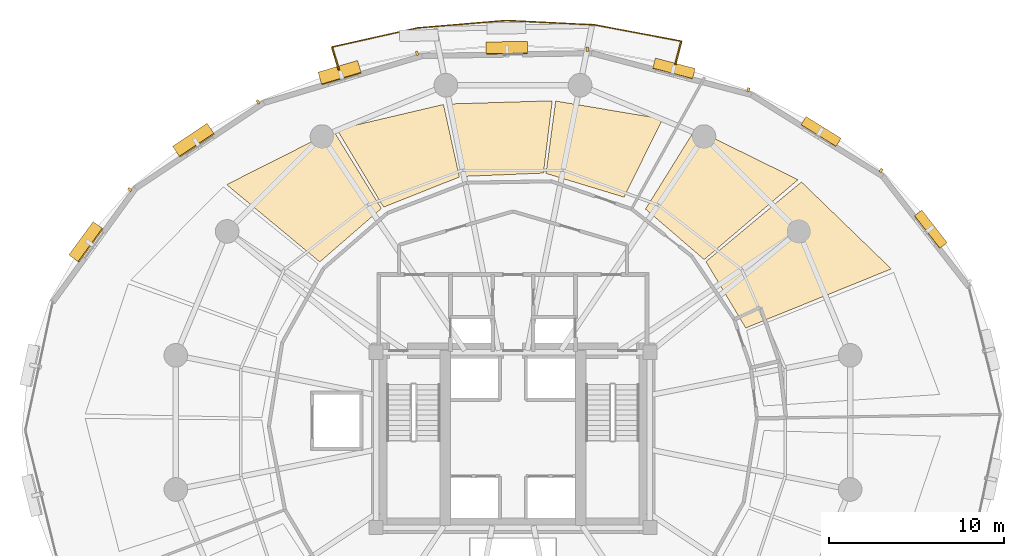
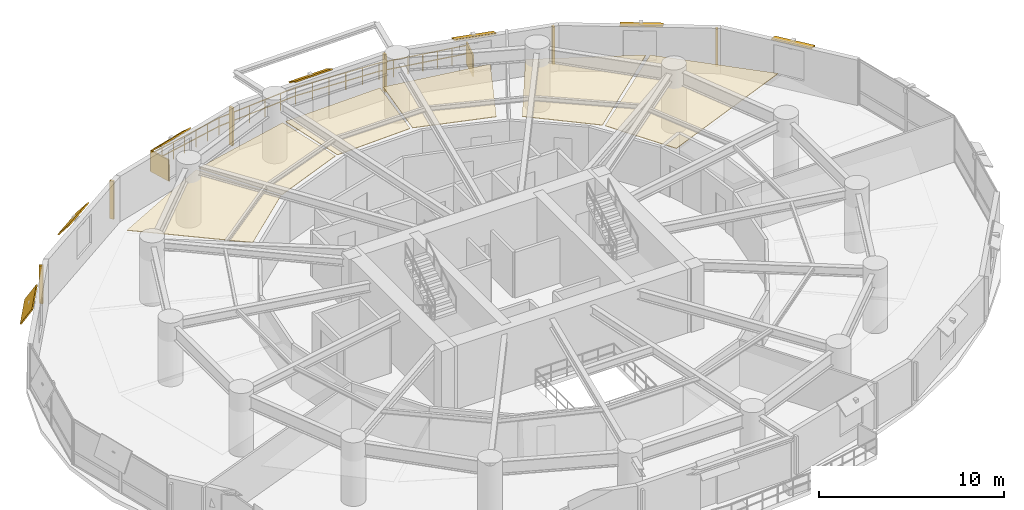
# One storey, part 17 of 17: 15 shading devices, 6 coverings, 1 railing.
"""IFC4 building model written with IfcOpenShell, lengths in metres."""

from ifc_helpers import new_model, si_unit, direction, frame, origin, origin_2d, place, context, subcontext, project, spatial, polyline, rectangle, outline, extrude, material, layer, layer_set, type_object, element, save


model = new_model("IFC4")

# Units and contexts
model_context = context("Model", 3, precision=1e-05, world=origin(), true_north=direction((0.0, 1.0)))
body_context = subcontext(model_context, "Body", "Model", "MODEL_VIEW")
ifc_project = project(units=[si_unit("LENGTHUNIT", "METRE"), si_unit("AREAUNIT", "SQUARE_METRE"), si_unit("VOLUMEUNIT", "CUBIC_METRE"), si_unit("PLANEANGLEUNIT", "RADIAN"), si_unit("MASSUNIT", "GRAM", prefix="KILO"), si_unit("THERMODYNAMICTEMPERATUREUNIT", "KELVIN"), si_unit("POWERUNIT", "WATT")], contexts=[model_context])

# Site, building, storey
site_placement = place(None, origin())
site = spatial("IfcSite", under=ifc_project, at=site_placement, CompositionType="ELEMENT")
building_placement = place(site_placement, origin())
building = spatial("IfcBuilding", under=site, at=building_placement, Name="Ocrelia Relay Tower", CompositionType="ELEMENT")
storey_placement = place(building_placement, frame((0.0, 0.0, 34.199951171875)))
storey = spatial("IfcBuildingStorey", under=building, at=storey_placement, Name="L07", CompositionType="ELEMENT", Elevation=34.199951171875)

# Coverings
ifc_material_1 = material(Name="Mineral-fiber acoustic ceiling tile", Category="gypsum")
ifc_layer_1 = layer(ifc_material_1, 0.0400390625, Name="Mineral-fiber acoustic ceiling tile")
ifc_layer_set_1 = layer_set([ifc_layer_1], Name="Mineral-fiber acoustic ceiling tile")
covering_type_1 = type_object("IfcCoveringType", Name="COV-CEIL-ACOUSTIC", PredefinedType="CEILING", material=ifc_layer_set_1)
covering_1_placement = place(storey_placement, frame((0.0, 0.0, 2.920166015625)))
element("IfcCovering", 1, at=covering_1_placement, inside=storey, type_object=covering_type_1, Name="L07 Operations Control Office Suspended Ceiling 2", PredefinedType="CEILING", context=body_context, shape_type="SweptSolid", body=[
    extrude(outline(polyline([(47.26953125, 31.3837890625), (55.571533203125, 34.751953125), (50.44580078125, 39.710205078125), (44.999267578125, 35.169677734375), (47.26953125, 31.3837890625)])), origin(), (0.0, 0.0, 1.0), 0.039794921875),
])
covering_2_placement = place(storey_placement, frame((0.0, 0.0, 2.920166015625)))
element("IfcCovering", 2, at=covering_2_placement, inside=storey, type_object=covering_type_1, Name="L07 Operations Control Office Suspended Ceiling 3", PredefinedType="CEILING", context=body_context, shape_type="SweptSolid", body=[
    extrude(outline(polyline([(44.902587890625, 35.2841796875), (50.252685546875, 39.84033203125), (44.389404296875, 42.723876953125), (41.556640625, 38.163818359375), (44.902587890625, 35.2841796875)])), origin(), (0.0, 0.0, 1.0), 0.039794921875),
])
ifc_material_2 = material(Name="Cleanroom metal-pan acoustic ceiling", Category="aluminium")
ifc_layer_2 = layer(ifc_material_2, 0.0400390625, Name="Cleanroom metal-pan acoustic ceiling")
ifc_layer_set_2 = layer_set([ifc_layer_2], Name="Cleanroom metal-pan acoustic ceiling")
covering_type_2 = type_object("IfcCoveringType", Name="COV-CEIL-CLEAN", PredefinedType="CEILING", material=ifc_layer_set_2)
covering_3_placement = place(storey_placement, frame((0.0, 0.0, 2.920166015625)))
element("IfcCovering", 3, at=covering_3_placement, inside=storey, type_object=covering_type_2, Name="L07 Colocation Data Hall A Suspended Ceiling 1", PredefinedType="CEILING", context=body_context, shape_type="SweptSolid", body=[
    extrude(outline(polyline([(40.33349609375, 38.84326171875), (42.531494140625, 43.30029296875), (36.43359375, 44.32666015625), (35.885009765625, 40.1953125), (40.33349609375, 38.84326171875)])), origin(), (0.0, 0.0, 1.0), 0.039794921875),
])
covering_4_placement = place(storey_placement, frame((0.0, 0.0, 2.920166015625)))
element("IfcCovering", 4, at=covering_4_placement, inside=storey, type_object=covering_type_2, Name="L07 Colocation Data Hall A Suspended Ceiling 2", PredefinedType="CEILING", context=body_context, shape_type="SweptSolid", body=[
    extrude(outline(polyline([(35.736328125, 40.21435546875), (36.240234375, 44.33935546875), (30.2333984375, 44.153564453125), (31.0908203125, 40.021484375), (35.736328125, 40.21435546875)])), origin(), (0.0, 0.0, 1.0), 0.039794921875),
])
covering_5_placement = place(storey_placement, frame((0.0, 0.0, 2.920166015625)))
element("IfcCovering", 5, at=covering_5_placement, inside=storey, type_object=covering_type_2, Name="L07 Colocation Data Hall A Suspended Ceiling 3", PredefinedType="CEILING", context=body_context, shape_type="SweptSolid", body=[
    extrude(outline(polyline([(30.944091796875, 39.990234375), (30.040283203125, 44.12890625), (23.962646484375, 42.7001953125), (26.623046875, 38.273681640625), (30.944091796875, 39.990234375)])), origin(), (0.0, 0.0, 1.0), 0.039794921875),
])
covering_6_placement = place(storey_placement, frame((0.0, 0.0, 2.920166015625)))
element("IfcCovering", 6, at=covering_6_placement, inside=storey, type_object=covering_type_2, Name="L07 Colocation Data Hall A Suspended Ceiling 4", PredefinedType="CEILING", context=body_context, shape_type="SweptSolid", body=[
    extrude(outline(polyline([(26.4951171875, 38.19580078125), (23.765869140625, 42.630859375), (17.673828125, 39.5576171875), (22.9833984375, 35.1484375), (26.4951171875, 38.19580078125)])), origin(), (0.0, 0.0, 1.0), 0.039794921875),
])

# Railing
ifc_material_3 = material(Name="Steel S355 balustrade", Category="steel")
railing_type = type_object("IfcRailingType", Name="RL-EXT-GUARD-1150", PredefinedType="GUARDRAIL", material=ifc_material_3)
railing_placement = place(storey_placement, frame((24.081298828125, 46.070556640625, 0.0)))
element("IfcRailing", 7, at=railing_placement, inside=storey, type_object=railing_type, Name="L07 Loggia Balcony Guard Rail B1", PredefinedType="GUARDRAIL", context=body_context, shape_type="SweptSolid", body=[
    extrude(rectangle(XDim=0.048095703125, YDim=0.048095703125, at=origin_2d()), frame((0.0, 0.0, 1.1259765625), z_axis=(-0.285901080499, 0.958259136231, 0.0), x_axis=(-0.958259136231, -0.285901080499, 0.0)), (0.0, 0.0, 1.0), 1.3935546875),
    extrude(rectangle(XDim=0.048095703125, YDim=0.048095703125, at=origin_2d()), frame((0.0, 0.0, 0.574951171875), z_axis=(-0.285901080499, 0.958259136231, 0.0), x_axis=(-0.958259136231, -0.285901080499, 0.0)), (0.0, 0.0, 1.0), 1.3935546875),
    extrude(rectangle(XDim=0.048095703125, YDim=0.048095703125, at=origin_2d()), frame((-0.3984375, 1.33544921875, 1.1259765625), z_axis=(0.976007852595, 0.217735324815, 0.0), x_axis=(-0.217735324815, 0.976007852595, 0.0)), (0.0, 0.0, 1.0), 2.5048828125),
    extrude(rectangle(XDim=0.048095703125, YDim=0.048095703125, at=origin_2d()), frame((-0.3984375, 1.33544921875, 0.574951171875), z_axis=(0.976007852595, 0.217735324815, 0.0), x_axis=(-0.217735324815, 0.976007852595, 0.0)), (0.0, 0.0, 1.0), 2.5048828125),
    extrude(rectangle(XDim=0.048095703125, YDim=0.048095703125, at=origin_2d()), frame((2.04638671875, 1.880859375, 1.1259765625), z_axis=(0.976007852595, 0.217735324815, 0.0), x_axis=(-0.217735324815, 0.976007852595, 0.0)), (0.0, 0.0, 1.0), 2.5048828125),
    extrude(rectangle(XDim=0.048095703125, YDim=0.048095703125, at=origin_2d()), frame((2.04638671875, 1.880859375, 0.574951171875), z_axis=(0.976007852595, 0.217735324815, 0.0), x_axis=(-0.217735324815, 0.976007852595, 0.0)), (0.0, 0.0, 1.0), 2.5048828125),
    extrude(rectangle(XDim=0.048095703125, YDim=0.048095703125, at=origin_2d()), frame((4.4912109375, 2.42626953125, 1.1259765625), z_axis=(0.996505084187, 0.083532132674, 0.0), x_axis=(-0.083532132674, 0.996505084187, 0.0)), (0.0, 0.0, 1.0), 5.065185546875),
    extrude(rectangle(XDim=0.048095703125, YDim=0.048095703125, at=origin_2d()), frame((4.4912109375, 2.42626953125, 0.574951171875), z_axis=(0.996505084187, 0.083532132674, 0.0), x_axis=(-0.083532132674, 0.996505084187, 0.0)), (0.0, 0.0, 1.0), 5.065185546875),
    extrude(rectangle(XDim=0.048095703125, YDim=0.048095703125, at=origin_2d()), frame((9.53857421875, 2.849365234375, 1.1259765625), z_axis=(0.998725754375, -0.050466499268, 0.0), x_axis=(0.050466499268, 0.998725754375, 0.0)), (0.0, 0.0, 1.0), 5.06494140625),
    extrude(rectangle(XDim=0.048095703125, YDim=0.048095703125, at=origin_2d()), frame((9.53857421875, 2.849365234375, 0.574951171875), z_axis=(0.998725754375, -0.050466499268, 0.0), x_axis=(0.050466499268, 0.998725754375, 0.0)), (0.0, 0.0, 1.0), 5.06494140625),
    extrude(rectangle(XDim=0.048095703125, YDim=0.048095703125, at=origin_2d()), frame((14.59716796875, 2.59375, 1.1259765625), z_axis=(0.982705181143, -0.185177015191, 0.0), x_axis=(0.185177015191, 0.982705181143, 0.0)), (0.0, 0.0, 1.0), 2.5048828125),
    extrude(rectangle(XDim=0.048095703125, YDim=0.048095703125, at=origin_2d()), frame((14.59716796875, 2.59375, 0.574951171875), z_axis=(0.982705181143, -0.185177015191, 0.0), x_axis=(0.185177015191, 0.982705181143, 0.0)), (0.0, 0.0, 1.0), 2.5048828125),
    extrude(rectangle(XDim=0.048095703125, YDim=0.048095703125, at=origin_2d()), frame((17.058837890625, 2.1298828125, 1.1259765625), z_axis=(0.982687441441, -0.18527113222, 0.0), x_axis=(0.18527113222, 0.982687441441, 0.0)), (0.0, 0.0, 1.0), 2.505126953125),
    extrude(rectangle(XDim=0.048095703125, YDim=0.048095703125, at=origin_2d()), frame((17.058837890625, 2.1298828125, 0.574951171875), z_axis=(0.982687441441, -0.18527113222, 0.0), x_axis=(0.18527113222, 0.982687441441, 0.0)), (0.0, 0.0, 1.0), 2.505126953125),
    extrude(rectangle(XDim=0.048095703125, YDim=0.048095703125, at=origin_2d()), frame((19.5205078125, 1.665771484375, 1.1259765625), z_axis=(-0.254018997009, -0.9671992293, 0.0), x_axis=(0.9671992293, -0.254018997009, 0.0)), (0.0, 0.0, 1.0), 1.3935546875),
    extrude(rectangle(XDim=0.048095703125, YDim=0.048095703125, at=origin_2d()), frame((19.5205078125, 1.665771484375, 0.574951171875), z_axis=(-0.254018997009, -0.9671992293, 0.0), x_axis=(0.9671992293, -0.254018997009, 0.0)), (0.0, 0.0, 1.0), 1.3935546875),
    extrude(rectangle(XDim=0.0419921875, YDim=0.0419921875, at=origin_2d()), origin(), (0.0, 0.0, 1.0), 1.101806640625),
    extrude(rectangle(XDim=0.0419921875, YDim=0.0419921875, at=origin_2d()), frame((-0.19921875, 0.667724609375, 0.0)), (0.0, 0.0, 1.0), 1.101806640625),
    extrude(rectangle(XDim=0.0419921875, YDim=0.0419921875, at=origin_2d()), frame((-0.3984375, 1.33544921875, 0.0)), (0.0, 0.0, 1.0), 1.101806640625),
    extrude(rectangle(XDim=0.0419921875, YDim=0.0419921875, at=origin_2d()), frame((0.41650390625, 1.517333984375, 0.0)), (0.0, 0.0, 1.0), 1.101806640625),
    extrude(rectangle(XDim=0.0419921875, YDim=0.0419921875, at=origin_2d()), frame((1.2314453125, 1.698974609375, 0.0)), (0.0, 0.0, 1.0), 1.101806640625),
    extrude(rectangle(XDim=0.0419921875, YDim=0.0419921875, at=origin_2d()), frame((2.04638671875, 1.880859375, 0.0)), (0.0, 0.0, 1.0), 1.101806640625),
    extrude(rectangle(XDim=0.0419921875, YDim=0.0419921875, at=origin_2d()), frame((2.861328125, 2.062744140625, 0.0)), (0.0, 0.0, 1.0), 1.101806640625),
    extrude(rectangle(XDim=0.0419921875, YDim=0.0419921875, at=origin_2d()), frame((3.67626953125, 2.244384765625, 0.0)), (0.0, 0.0, 1.0), 1.101806640625),
    extrude(rectangle(XDim=0.0419921875, YDim=0.0419921875, at=origin_2d()), frame((4.4912109375, 2.42626953125, 0.0)), (0.0, 0.0, 1.0), 1.101806640625),
    extrude(rectangle(XDim=0.0419921875, YDim=0.0419921875, at=origin_2d()), frame((5.500732421875, 2.510986328125, 0.0)), (0.0, 0.0, 1.0), 1.101806640625),
    extrude(rectangle(XDim=0.0419921875, YDim=0.0419921875, at=origin_2d()), frame((6.51025390625, 2.595458984375, 0.0)), (0.0, 0.0, 1.0), 1.101806640625),
    extrude(rectangle(XDim=0.0419921875, YDim=0.0419921875, at=origin_2d()), frame((7.51953125, 2.68017578125, 0.0)), (0.0, 0.0, 1.0), 1.101806640625),
    extrude(rectangle(XDim=0.0419921875, YDim=0.0419921875, at=origin_2d()), frame((8.529052734375, 2.7646484375, 0.0)), (0.0, 0.0, 1.0), 1.101806640625),
    extrude(rectangle(XDim=0.0419921875, YDim=0.0419921875, at=origin_2d()), frame((9.53857421875, 2.849365234375, 0.0)), (0.0, 0.0, 1.0), 1.101806640625),
    extrude(rectangle(XDim=0.0419921875, YDim=0.0419921875, at=origin_2d()), frame((10.55029296875, 2.79833984375, 0.0)), (0.0, 0.0, 1.0), 1.101806640625),
    extrude(rectangle(XDim=0.0419921875, YDim=0.0419921875, at=origin_2d()), frame((11.56201171875, 2.7470703125, 0.0)), (0.0, 0.0, 1.0), 1.101806640625),
    extrude(rectangle(XDim=0.0419921875, YDim=0.0419921875, at=origin_2d()), frame((12.57373046875, 2.696044921875, 0.0)), (0.0, 0.0, 1.0), 1.101806640625),
    extrude(rectangle(XDim=0.0419921875, YDim=0.0419921875, at=origin_2d()), frame((13.58544921875, 2.644775390625, 0.0)), (0.0, 0.0, 1.0), 1.101806640625),
    extrude(rectangle(XDim=0.0419921875, YDim=0.0419921875, at=origin_2d()), frame((14.59716796875, 2.59375, 0.0)), (0.0, 0.0, 1.0), 1.101806640625),
    extrude(rectangle(XDim=0.0419921875, YDim=0.0419921875, at=origin_2d()), frame((15.417724609375, 2.439208984375, 0.0)), (0.0, 0.0, 1.0), 1.101806640625),
    extrude(rectangle(XDim=0.0419921875, YDim=0.0419921875, at=origin_2d()), frame((16.23828125, 2.284423828125, 0.0)), (0.0, 0.0, 1.0), 1.101806640625),
    extrude(rectangle(XDim=0.0419921875, YDim=0.0419921875, at=origin_2d()), frame((17.058837890625, 2.1298828125, 0.0)), (0.0, 0.0, 1.0), 1.101806640625),
    extrude(rectangle(XDim=0.0419921875, YDim=0.0419921875, at=origin_2d()), frame((17.87939453125, 1.97509765625, 0.0)), (0.0, 0.0, 1.0), 1.101806640625),
    extrude(rectangle(XDim=0.0419921875, YDim=0.0419921875, at=origin_2d()), frame((18.699951171875, 1.820556640625, 0.0)), (0.0, 0.0, 1.0), 1.101806640625),
    extrude(rectangle(XDim=0.0419921875, YDim=0.0419921875, at=origin_2d()), frame((19.5205078125, 1.665771484375, 0.0)), (0.0, 0.0, 1.0), 1.101806640625),
    extrude(rectangle(XDim=0.0419921875, YDim=0.0419921875, at=origin_2d()), frame((19.343505859375, 0.99169921875, 0.0)), (0.0, 0.0, 1.0), 1.101806640625),
    extrude(rectangle(XDim=0.0419921875, YDim=0.0419921875, at=origin_2d()), frame((19.16650390625, 0.31787109375, 0.0)), (0.0, 0.0, 1.0), 1.101806640625),
])

# Shading devices
ifc_material_4 = material(Name="Perforated oxide terracotta solar screen", Category="masonry")
ifc_layer_3 = layer(ifc_material_4, 0.090087890625, Name="Perforated oxide terracotta solar screen")
ifc_layer_set_3 = layer_set([ifc_layer_3], Name="Perforated oxide terracotta solar screen")
shading_device_type_1 = type_object("IfcShadingDeviceType", Name="SH-BALC-SCREEN", PredefinedType="USERDEFINED", material=ifc_layer_set_3)
for number, where, z_axis, x_axis, name in (
    (8, (43.4248046875, 47.0625, 0.0), (0.0, 0.0, 1.0), (0.25403407431, 0.967195269369, 0.0), "L07 Balcony Perforated Terracotta Screen B1-1"),
    (9, (23.882080078125, 46.73828125, 0.0), (0.0, 0.0, 1.0), (-0.285905706582, 0.958257756005, 0.0), "L07 Balcony Perforated Terracotta Screen B1-2"),
):
    element("IfcShadingDevice", number, at=place(storey_placement, frame(where, z_axis=z_axis, x_axis=x_axis)), inside=storey, type_object=shading_device_type_1, Name=name, ObjectType="SCREEN", PredefinedType="USERDEFINED", context=body_context, shape_type="SweptSolid", body=[
        extrude(rectangle(XDim=1.340087890625, YDim=0.090087890625, at=origin_2d()), origin(), (0.0, 0.0, 1.0), 1.39990234375),
    ])
ifc_material_5 = material(Name="Extruded oxide terracotta vertical baguette", Category="masonry")
shading_device_type_2 = type_object("IfcShadingDeviceType", Name="SH-TERR-BAGUETTE", PredefinedType="USERDEFINED", material=ifc_material_5)
for number, where, z_axis, x_axis, name in (
    (10, (54.9833984375, 40.364501953125, 0.25), (0.0, 0.0, 1.0), (-0.850007396086, 0.526770753364, 0.0), "L07 Oxide Terracotta Vertical Baguette 03"),
    (11, (47.418212890625, 44.95751953125, 0.25), (0.0, 0.0, 1.0), (-0.967567531803, 0.252612492565, 0.0), "L07 Oxide Terracotta Vertical Baguette 04"),
    (12, (38.235107421875, 47.279541015625, 0.25), (0.0, 0.0, 1.0), (-0.999862502916, -0.01658237808, 0.0), "L07 Oxide Terracotta Vertical Baguette 05"),
    (13, (28.530029296875, 47.045654296875, 0.25), (0.0, 0.0, 1.0), (-0.958658542591, -0.28455895473, 0.0), "L07 Oxide Terracotta Vertical Baguette 06"),
    (14, (19.46875, 44.271484375, 0.25), (0.0, 0.0, 1.0), (-0.832080038221, -0.554655577808, 0.0), "L07 Oxide Terracotta Vertical Baguette 07"),
    (15, (12.152587890625, 39.277587890625, 0.25), (0.0, 0.0, 1.0), (-0.58847927346, -0.808512303375, 0.0), "L07 Oxide Terracotta Vertical Baguette 08"),
):
    element("IfcShadingDevice", number, at=place(storey_placement, frame(where, z_axis=z_axis, x_axis=x_axis)), inside=storey, type_object=shading_device_type_2, Name=name, ObjectType="BAGUETTE", PredefinedType="USERDEFINED", context=body_context, shape_type="SweptSolid", body=[
        extrude(rectangle(XDim=0.139892578125, YDim=0.239990234375, at=origin_2d()), origin(), (0.0, 0.0, 1.0), 2.5),
    ])
ifc_material_6 = material(Name="Extruded oxide terracotta fin", Category="masonry")
ifc_layer_4 = layer(ifc_material_6, 0.080078125, Name="Extruded oxide terracotta fin")
ifc_layer_set_4 = layer_set([ifc_layer_4], Name="Extruded oxide terracotta fin")
shading_device_type_3 = type_object("IfcShadingDeviceType", Name="SH-VISOR-FIN-DEEP", PredefinedType="USERDEFINED", material=ifc_layer_set_4)
shading_device_1_placement = place(storey_placement, frame((9.685791015625, 36.268798828125, 2.81884765625), z_axis=(-0.686329475211, 0.499547958937, 0.528586500185), x_axis=(-0.58847927346, -0.808512303375, 0.0)))
element("IfcShadingDevice", 16, at=shading_device_1_placement, inside=storey, type_object=shading_device_type_3, Name="L07 Canted Terracotta Sun-Visor Fin 08", ObjectType="FIN", PredefinedType="USERDEFINED", context=body_context, shape_type="SweptSolid", body=[
    extrude(rectangle(XDim=2.35009765625, YDim=1.218017578125, at=origin_2d()), origin(), (0.0, 0.0, 1.0), 0.080078125),
])
ifc_layer_5 = layer(ifc_material_6, 0.080078125, Name="Extruded oxide terracotta fin")
ifc_layer_set_5 = layer_set([ifc_layer_5], Name="Extruded oxide terracotta fin")
shading_device_type_4 = type_object("IfcShadingDeviceType", Name="SH-VISOR-FIN-MED", PredefinedType="USERDEFINED", material=ifc_layer_set_5)
shading_device_2_placement = place(storey_placement, frame((33.646240234375, 47.332763671875, 2.80615234375), z_axis=(-0.008841253397, 0.533098311194, 0.846007105668), x_axis=(-0.999862502916, -0.01658237808, 0.0)))
element("IfcShadingDevice", 17, at=shading_device_2_placement, inside=storey, type_object=shading_device_type_4, Name="L07 Canted Terracotta Sun-Visor Fin 05", ObjectType="FIN", PredefinedType="USERDEFINED", context=body_context, shape_type="SweptSolid", body=[
    extrude(rectangle(XDim=2.35009765625, YDim=0.787109375, at=origin_2d()), origin(), (0.0, 0.0, 1.0), 0.080078125),
])
shading_device_3_placement = place(storey_placement, frame((24.12841796875, 45.91162109375, 2.810546875), z_axis=(-0.192501417437, 0.648523355951, 0.73645139763), x_axis=(-0.958658542591, -0.28455895473, 0.0)))
element("IfcShadingDevice", 18, at=shading_device_3_placement, inside=storey, type_object=shading_device_type_4, Name="L07 Canted Terracotta Sun-Visor Fin 06", ObjectType="FIN", PredefinedType="USERDEFINED", context=body_context, shape_type="SweptSolid", body=[
    extrude(rectangle(XDim=2.35009765625, YDim=0.958984375, at=origin_2d()), origin(), (0.0, 0.0, 1.0), 0.080078125),
])
shading_device_4_placement = place(storey_placement, frame((15.802490234375, 42.060302734375, 2.815185546875), z_axis=(-0.434619810156, 0.652005465582, 0.621284551129), x_axis=(-0.832080038221, -0.554655577808, 0.0)))
element("IfcShadingDevice", 19, at=shading_device_4_placement, inside=storey, type_object=shading_device_type_4, Name="L07 Canted Terracotta Sun-Visor Fin 07", ObjectType="FIN", PredefinedType="USERDEFINED", context=body_context, shape_type="SweptSolid", body=[
    extrude(rectangle(XDim=2.35009765625, YDim=1.110107421875, at=origin_2d()), origin(), (0.0, 0.0, 1.0), 0.080078125),
])
ifc_layer_6 = layer(ifc_material_6, 0.080078125, Name="Extruded oxide terracotta fin")
ifc_layer_set_6 = layer_set([ifc_layer_6], Name="Extruded oxide terracotta fin")
shading_device_type_5 = type_object("IfcShadingDeviceType", Name="SH-VISOR-FIN-SHAL", PredefinedType="USERDEFINED", material=ifc_layer_set_6)
shading_device_5_placement = place(storey_placement, frame((57.807861328125, 37.004150390625, 2.802001953125), z_axis=(0.243675781725, 0.190035828762, 0.951056516295), x_axis=(-0.614968860036, 0.788551394131, 0.0)))
element("IfcShadingDevice", 20, at=shading_device_5_placement, inside=storey, type_object=shading_device_type_5, Name="L07 Canted Terracotta Sun-Visor Fin 02", ObjectType="FIN", PredefinedType="USERDEFINED", context=body_context, shape_type="SweptSolid", body=[
    extrude(rectangle(XDim=2.35009765625, YDim=0.550048828125, at=origin_2d()), origin(), (0.0, 0.0, 1.0), 0.080078125),
])
shading_device_6_placement = place(storey_placement, frame((51.5546875, 42.566650390625, 2.80224609375), z_axis=(0.173410970438, 0.279819269565, 0.944261516589), x_axis=(-0.850007396086, 0.526770753364, 0.0)))
element("IfcShadingDevice", 21, at=shading_device_6_placement, inside=storey, type_object=shading_device_type_5, Name="L07 Canted Terracotta Sun-Visor Fin 03", ObjectType="FIN", PredefinedType="USERDEFINED", context=body_context, shape_type="SweptSolid", body=[
    extrude(rectangle(XDim=2.35009765625, YDim=0.570068359375, at=origin_2d()), origin(), (0.0, 0.0, 1.0), 0.080078125),
])
shading_device_7_placement = place(storey_placement, frame((43.172607421875, 46.15869140625, 2.803466796875), z_axis=(0.101779198996, 0.389839185551, 0.915241172621), x_axis=(-0.967567531803, 0.252612492565, 0.0)))
element("IfcShadingDevice", 22, at=shading_device_7_placement, inside=storey, type_object=shading_device_type_5, Name="L07 Canted Terracotta Sun-Visor Fin 04", ObjectType="FIN", PredefinedType="USERDEFINED", context=body_context, shape_type="SweptSolid", body=[
    extrude(rectangle(XDim=2.35009765625, YDim=0.64599609375, at=origin_2d()), origin(), (0.0, 0.0, 1.0), 0.080078125),
])

save(model, "model.ifc")
